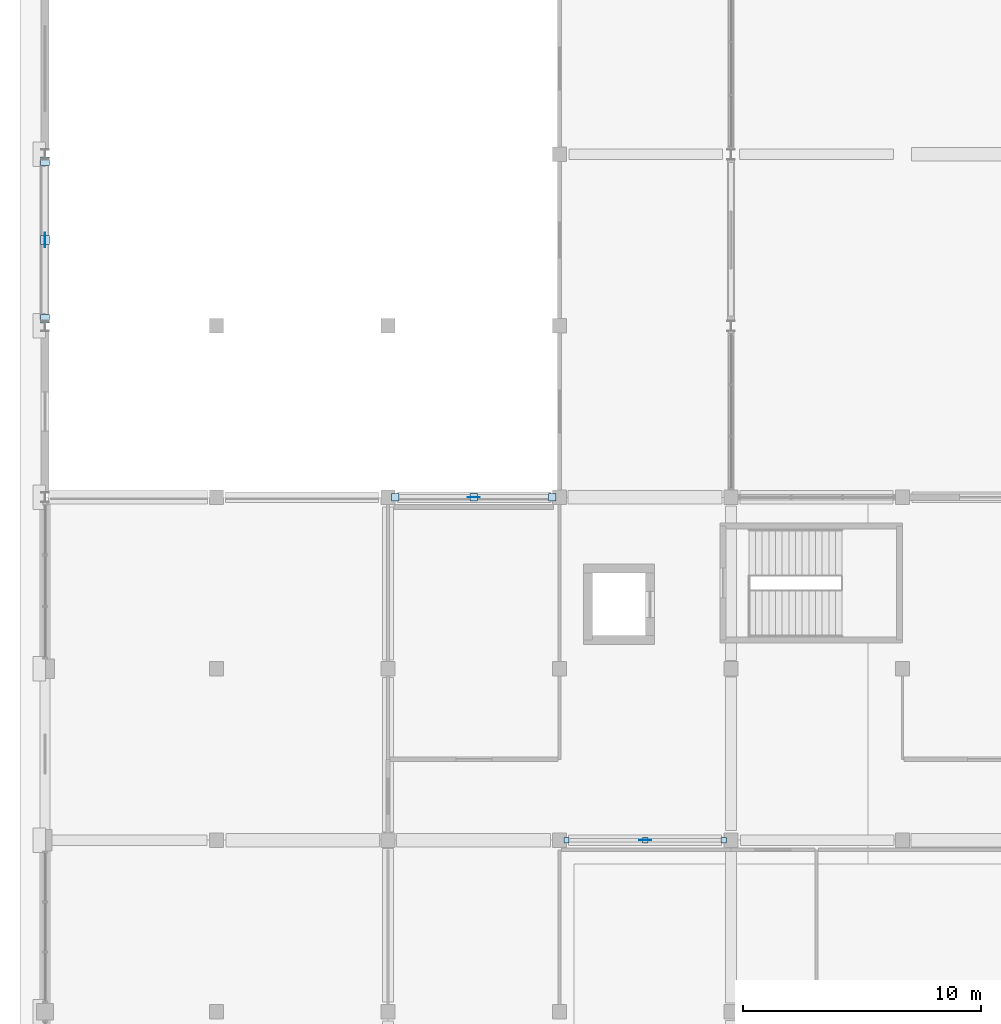
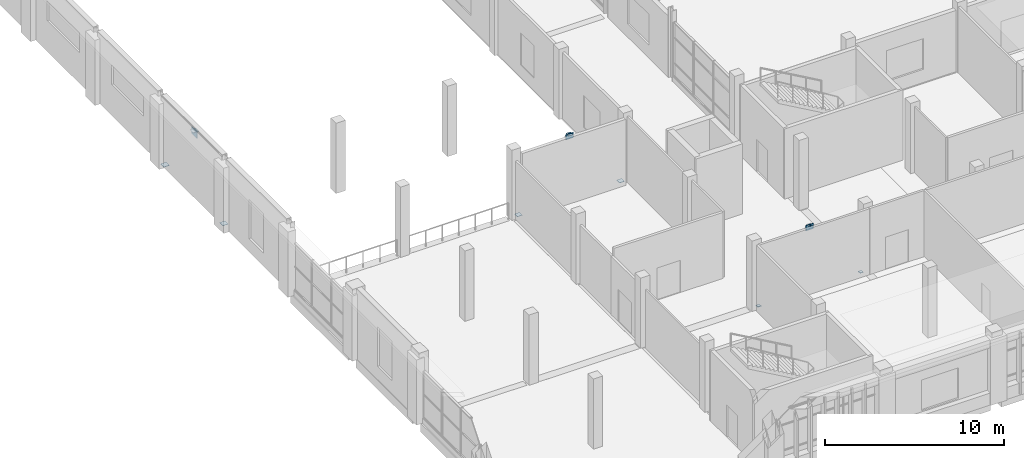
# One storey, part 51 of 82: 12 plates.
"""IFC4 building model written with IfcOpenShell, lengths in metres."""

from ifc_helpers import new_model, si_unit, direction, frame, origin, origin_2d, place, context, subcontext, project, spatial, rectangle, extrude, material, layer, layer_set, type_object, element, save


model = new_model("IFC4")

# Units and contexts
model_context = context("Model", 3, precision=1e-05, world=origin(), true_north=direction((0.0, 1.0)))
body_context = subcontext(model_context, "Body", "Model", "MODEL_VIEW")
ifc_project = project(units=[si_unit("LENGTHUNIT", "METRE"), si_unit("AREAUNIT", "SQUARE_METRE"), si_unit("VOLUMEUNIT", "CUBIC_METRE"), si_unit("PLANEANGLEUNIT", "RADIAN"), si_unit("MASSUNIT", "GRAM", prefix="KILO")], contexts=[model_context])

# Site, building, storey
site_placement = place(None, origin())
site = spatial("IfcSite", under=ifc_project, at=site_placement, CompositionType="ELEMENT")
building_placement = place(site_placement, origin())
building = spatial("IfcBuilding", under=site, at=building_placement, Name="Sardonyx Promenade Sports Hall", CompositionType="ELEMENT")
storey_placement = place(building_placement, frame((0.0, 0.0, 11.199951171875)))
storey = spatial("IfcBuildingStorey", under=building, at=storey_placement, Name="L02", CompositionType="ELEMENT", Elevation=11.199951171875)

# Plates
ifc_material_1 = material(Name="Steel S355JR", Category="steel")
ifc_layer_1 = layer(ifc_material_1, 0.02001953125)
ifc_layer_set_1 = layer_set([ifc_layer_1], Name="Plt_EndCap_EC1")
plate_type_1 = type_object("IfcPlateType", Name="Plt_EndCap_EC1", PredefinedType="USERDEFINED", material=ifc_layer_set_1)
for number, where, z_axis, x_axis, name in (
    (1, (0.0, 36.300048828125, 0.010009765625), (0.0, 0.0, 1.0), (1.0, 0.0, 0.0), "Brace foot end-cap plate EC1 BF1 L02 L1"),
    (2, (0.0, 42.89990234375, 0.010009765625), (0.0, 0.0, 1.0), (1.0, 0.0, 0.0), "Brace foot end-cap plate EC1 BF1 L02 L2"),
    (3, (0.0, 39.60009765625, 4.35498046875), (0.0, 0.0, 1.0), (1.0, 0.0, 0.0), "Brace apex cap plate EC1 BF1 L02"),
):
    element("IfcPlate", number, at=place(storey_placement, frame(where, z_axis=z_axis, x_axis=x_axis)), inside=storey, type_object=plate_type_1, Name=name, ObjectType="END CAP PLATE", PredefinedType="USERDEFINED", context=body_context, shape_type="SweptSolid", body=[
        extrude(rectangle(XDim=0.360107421875, YDim=0.360107421875, at=origin_2d()), origin(), (0.0, 0.0, 1.0), 0.02001953125),
    ])
ifc_material_2 = material(Name="Steel S355JR", Category="steel")
ifc_layer_2 = layer(ifc_material_2, 0.01611328125)
ifc_layer_set_2 = layer_set([ifc_layer_2], Name="Plt_EndCap_EC2")
plate_type_2 = type_object("IfcPlateType", Name="Plt_EndCap_EC2", PredefinedType="USERDEFINED", material=ifc_layer_set_2)
for number, where, z_axis, x_axis, name in (
    (4, (14.699951171875, 28.800048828125, 0.011962890625), (0.0, 0.0, 1.0), (1.0, 0.0, 0.0), "Brace foot end-cap plate EC2 BF5 L02 L1"),
    (5, (21.300048828125, 28.800048828125, 0.011962890625), (0.0, 0.0, 1.0), (1.0, 0.0, 0.0), "Brace foot end-cap plate EC2 BF5 L02 L2"),
    (6, (18.0, 28.800048828125, 4.35693359375), (0.0, 0.0, 1.0), (1.0, 0.0, 0.0), "Brace apex cap plate EC2 BF5 L02"),
):
    element("IfcPlate", number, at=place(storey_placement, frame(where, z_axis=z_axis, x_axis=x_axis)), inside=storey, type_object=plate_type_2, Name=name, ObjectType="END CAP PLATE", PredefinedType="USERDEFINED", context=body_context, shape_type="SweptSolid", body=[
        extrude(rectangle(XDim=0.320068359375, YDim=0.320068359375, at=origin_2d()), origin(), (0.0, 0.0, 1.0), 0.01611328125),
    ])
ifc_material_3 = material(Name="Steel S355JR", Category="steel")
ifc_layer_3 = layer(ifc_material_3, 0.011962890625)
ifc_layer_set_3 = layer_set([ifc_layer_3], Name="Plt_EndCap_EC3")
plate_type_3 = type_object("IfcPlateType", Name="Plt_EndCap_EC3", PredefinedType="USERDEFINED", material=ifc_layer_set_3)
for number, where, z_axis, x_axis, name in (
    (7, (21.89990234375, 14.39990234375, 0.01416015625), (0.0, 0.0, 1.0), (1.0, 0.0, 0.0), "Brace foot end-cap plate EC3 BF7 L02 L1"),
    (8, (28.5, 14.39990234375, 0.01416015625), (0.0, 0.0, 1.0), (1.0, 0.0, 0.0), "Brace foot end-cap plate EC3 BF7 L02 L2"),
    (9, (25.199951171875, 14.39990234375, 4.35888671875), (0.0, 0.0, 1.0), (1.0, 0.0, 0.0), "Brace apex cap plate EC3 BF7 L02"),
):
    element("IfcPlate", number, at=place(storey_placement, frame(where, z_axis=z_axis, x_axis=x_axis)), inside=storey, type_object=plate_type_3, Name=name, ObjectType="END CAP PLATE", PredefinedType="USERDEFINED", context=body_context, shape_type="SweptSolid", body=[
        extrude(rectangle(XDim=0.219970703125, YDim=0.219970703125, at=origin_2d()), origin(), (0.0, 0.0, 1.0), 0.011962890625),
    ])
ifc_material_4 = material(Name="Steel S355JR", Category="steel")
ifc_layer_4 = layer(ifc_material_4, 0.02490234375)
ifc_layer_set_4 = layer_set([ifc_layer_4], Name="Plt_Gusset_KN1")
plate_type_4 = type_object("IfcPlateType", Name="Plt_Gusset_KN1", PredefinedType="USERDEFINED", material=ifc_layer_set_4)
plate_placement = place(storey_placement, frame((0.0, 39.60009765625, 4.0048828125), z_axis=(0.0, 0.0, 1.0), x_axis=(0.0, 1.0, 0.0)))
element("IfcPlate", 10, at=plate_placement, inside=storey, type_object=plate_type_4, Name="Braced-frame apex gusset KN1 BF1 L02", ObjectType="GUSSET PLATE", PredefinedType="USERDEFINED", context=body_context, shape_type="SweptSolid", body=[
    extrude(rectangle(XDim=0.60009765625, YDim=0.02490234375, at=origin_2d()), origin(), (0.0, 0.0, 1.0), 0.449951171875),
])
ifc_material_5 = material(Name="Steel S355JR", Category="steel")
ifc_layer_5 = layer(ifc_material_5, 0.02001953125)
ifc_layer_set_5 = layer_set([ifc_layer_5], Name="Plt_Gusset_KN2")
plate_type_5 = type_object("IfcPlateType", Name="Plt_Gusset_KN2", PredefinedType="USERDEFINED", material=ifc_layer_set_5)
for number, where, z_axis, x_axis, name in (
    (11, (18.0, 28.800048828125, 4.0400390625), (0.0, 0.0, 1.0), (1.0, 0.0, 0.0), "Braced-frame apex gusset KN2 BF5 L02"),
    (12, (25.199951171875, 14.39990234375, 4.0400390625), (0.0, 0.0, 1.0), (1.0, 0.0, 0.0), "Braced-frame apex gusset KN2 BF7 L02"),
):
    element("IfcPlate", number, at=place(storey_placement, frame(where, z_axis=z_axis, x_axis=x_axis)), inside=storey, type_object=plate_type_5, Name=name, ObjectType="GUSSET PLATE", PredefinedType="USERDEFINED", context=body_context, shape_type="SweptSolid", body=[
        extrude(rectangle(XDim=0.5, YDim=0.02001953125, at=origin_2d()), origin(), (0.0, 0.0, 1.0), 0.3798828125),
    ])

save(model, "model.ifc")
